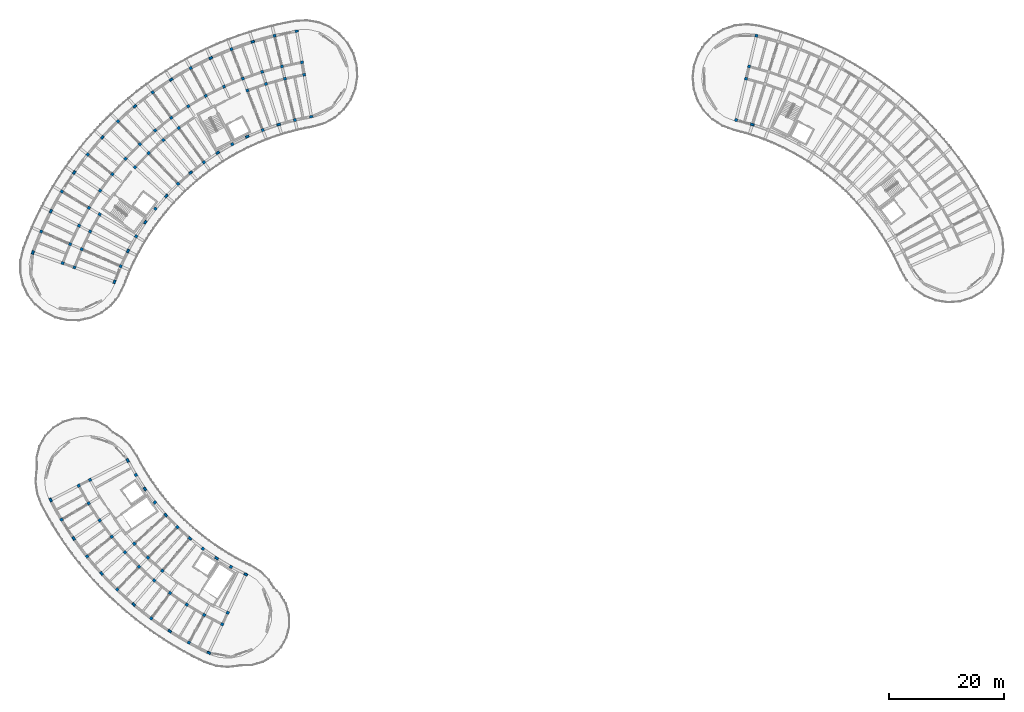
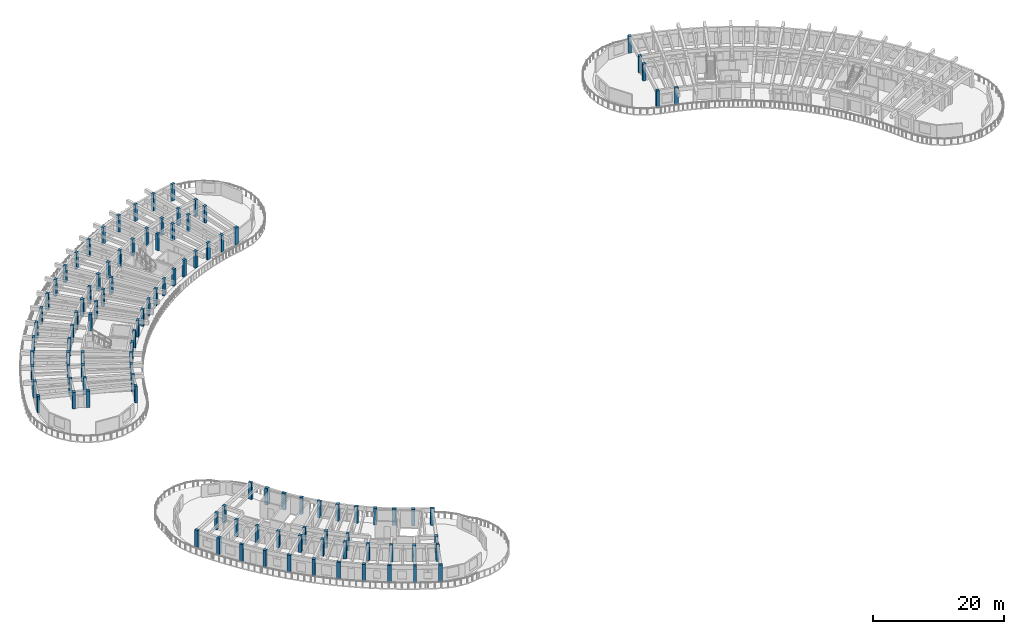
# One storey, part 1 of 41: 106 columns.
"""IFC4 building model written with IfcOpenShell, lengths in metres."""

from ifc_helpers import new_model, si_unit, direction, frame, origin, origin_2d, place, context, subcontext, project, spatial, rectangle, extrude, material, material_profile, profile_set, type_object, element, save


model = new_model("IFC4")

# Units and contexts
model_context = context("Model", 3, precision=1e-05, world=origin(), true_north=direction((0.0, 1.0)))
body_context = subcontext(model_context, "Body", "Model", "MODEL_VIEW")
ifc_project = project(units=[si_unit("LENGTHUNIT", "METRE"), si_unit("AREAUNIT", "SQUARE_METRE"), si_unit("VOLUMEUNIT", "CUBIC_METRE"), si_unit("PLANEANGLEUNIT", "RADIAN"), si_unit("MASSUNIT", "GRAM", prefix="KILO")], contexts=[model_context])

# Site, building, storey
site_placement = place(None, origin())
site = spatial("IfcSite", under=ifc_project, at=site_placement, CompositionType="ELEMENT")
building_placement = place(site_placement, origin())
building = spatial("IfcBuilding", under=site, at=building_placement, Name="Tanwirah Colonnade Gardens", CompositionType="ELEMENT")
storey_placement = place(building_placement, frame((0.0, 0.0, 35.719970703125)))
storey = spatial("IfcBuildingStorey", under=building, at=storey_placement, Name="L10", CompositionType="ELEMENT", Elevation=35.719970703125)

# Columns
ifc_material = material(Name="Precast concrete C40/50", Category="concrete")
ifc_material_profile_1 = material_profile(ifc_material, rectangle(XDim=0.510009765625, YDim=0.510009765625, at=origin_2d()), Name="PC-COL 510x510")
ifc_profile_set_1 = profile_set([ifc_material_profile_1], Name="Precast concrete C40/50")
column_type_1 = type_object("IfcColumnType", Name="C-PC420", PredefinedType="COLUMN", material=ifc_profile_set_1)
for number, where, z_axis, x_axis, name in (
    (1, (18.904541015625, 40.75927734375, 0.0), (0.0, 0.0, 1.0), (-0.889017141486, -0.457873915117, 0.0), "Block C L10 Column 3-R1"),
    (2, (16.94873046875, 39.751953125, 0.0), (0.0, 0.0, 1.0), (-0.889017141486, -0.457873915117, 0.0), "Block C L10 Column 3-R2"),
    (3, (26.89892578125, 41.6064453125, 0.0), (0.0, 0.0, 1.0), (-0.857167300702, -0.51503807491, 0.0), "Block C L10 Column 4-R0"),
    (4, (18.670166015625, 36.662109375, 0.0), (0.0, 0.0, 1.0), (-0.857167300702, -0.51503807491, 0.0), "Block C L10 Column 4-R2"),
    (5, (13.95556640625, 33.82958984375, 0.0), (0.0, 0.0, 1.0), (-0.857167300702, -0.51503807491, 0.0), "Block C L10 Column 4-R3"),
    (6, (20.590087890625, 33.691650390625, 0.0), (0.0, 0.0, 1.0), (-0.821646937942, -0.569996762596, 0.0), "Block C L10 Column 5-R2"),
    (7, (30.213134765625, 36.829345703125, 0.0), (0.0, 0.0, 1.0), (-0.782608156852, -0.622514636638, 0.0), "Block C L10 Column 6-R0"),
    (8, (22.699951171875, 30.85302734375, 0.0), (0.0, 0.0, 1.0), (-0.782608156852, -0.622514636638, 0.0), "Block C L10 Column 6-R2"),
    (9, (18.395751953125, 27.42919921875, 0.0), (0.0, 0.0, 1.0), (-0.782608156852, -0.622514636638, 0.0), "Block C L10 Column 6-R3"),
    (10, (26.61962890625, 29.6376953125, 0.0), (0.0, 0.0, 1.0), (-0.740218127487, -0.672366807435, 0.0), "Block C L10 Column 7-R1"),
    (11, (24.9912109375, 28.15869140625, 0.0), (0.0, 0.0, 1.0), (-0.740218127487, -0.672366807435, 0.0), "Block C L10 Column 7-R2"),
    (12, (34.122314453125, 32.525390625, 0.0), (0.0, 0.0, 1.0), (-0.694658370459, -0.719339800339, 0.0), "Block C L10 Column 8-R0"),
    (13, (28.98193359375, 27.2021484375, 0.0), (0.0, 0.0, 1.0), (-0.694658370459, -0.719339800339, 0.0), "Block C L10 Column 8-R1"),
    (14, (27.45361328125, 25.61962890625, 0.0), (0.0, 0.0, 1.0), (-0.694658370459, -0.719339800339, 0.0), "Block C L10 Column 8-R2"),
    (15, (23.633056640625, 21.663330078125, 0.0), (0.0, 0.0, 1.0), (-0.694658370459, -0.719339800339, 0.0), "Block C L10 Column 8-R3"),
    (16, (31.49853515625, 24.926513671875, 0.0), (0.0, 0.0, 1.0), (-0.646123979643, -0.763232469783, 0.0), "Block C L10 Column 9-R1"),
    (17, (30.076904296875, 23.247314453125, 0.0), (0.0, 0.0, 1.0), (-0.646123979643, -0.763232469783, 0.0), "Block C L10 Column 9-R2"),
    (18, (38.56005859375, 28.7685546875, 0.0), (0.0, 0.0, 1.0), (-0.594822786751, -0.803856860617, 0.0), "Block C L10 Column 10-R0"),
    (19, (32.849853515625, 21.051513671875, 0.0), (0.0, 0.0, 1.0), (-0.594822786751, -0.803856860617, 0.0), "Block C L10 Column 10-R2"),
    (20, (29.578369140625, 16.63037109375, 0.0), (0.0, 0.0, 1.0), (-0.594822786751, -0.803856860617, 0.0), "Block C L10 Column 10-R3"),
    (21, (35.76025390625, 19.041748046875, 0.0), (0.0, 0.0, 1.0), (-0.540974471368, -0.841039012964, 0.0), "Block C L10 Column 11-R2"),
    (22, (43.4501953125, 25.623046875, 0.0), (0.0, 0.0, 1.0), (-0.484809620246, -0.874619707139, 0.0), "Block C L10 Column 12-R0"),
    (23, (38.796142578125, 17.226806640625, 0.0), (0.0, 0.0, 1.0), (-0.484809620246, -0.874619707139, 0.0), "Block C L10 Column 12-R2"),
    (24, (36.129638671875, 12.41650390625, 0.0), (0.0, 0.0, 1.0), (-0.484809620246, -0.874619707139, 0.0), "Block C L10 Column 12-R3"),
    (25, (42.88232421875, 17.60400390625, 0.0), (0.0, 0.0, 1.0), (-0.426568739901, -0.904455145454, 0.0), "Block C L10 Column 13-R1"),
    (26, (41.94384765625, 15.6142578125, 0.0), (0.0, 0.0, 1.0), (-0.426568739901, -0.904455145454, 0.0), "Block C L10 Column 13-R2"),
):
    element("IfcColumn", number, at=place(storey_placement, frame(where, z_axis=z_axis, x_axis=x_axis)), inside=storey, type_object=column_type_1, Name=name, PredefinedType="COLUMN", context=body_context, shape_type="SweptSolid", body=[
        extrude(rectangle(XDim=0.510009765625, YDim=0.510009765625, at=origin_2d()), origin(), (0.0, 0.0, 1.0), 3.125),
    ])
ifc_material_profile_2 = material_profile(ifc_material, rectangle(XDim=0.5, YDim=0.5, at=origin_2d()), Name="PC-COL 500x500")
ifc_profile_set_2 = profile_set([ifc_material_profile_2], Name="Precast concrete C40/50")
column_type_2 = type_object("IfcColumnType", Name="C-PC500", PredefinedType="COLUMN", material=ifc_profile_set_2)
for number, where, z_axis, x_axis, name in (
    (27, (56.1943359375, 111.296875, 0.0), (0.0, 0.0, 1.0), (-0.169827298811, 0.985473839622, 0.0), "Block A L10 Column 1-R1"),
    (28, (55.82080078125, 113.46484375, 0.0), (0.0, 0.0, 1.0), (-0.169827298811, 0.985473839622, 0.0), "Block A L10 Column 1-R2"),
    (29, (54.58154296875, 103.411865234375, 0.0), (0.0, 0.0, 1.0), (-0.23438809799, 0.972143106503, 0.0), "Block A L10 Column 2-R0"),
    (30, (52.846923828125, 110.605712890625, 0.0), (0.0, 0.0, 1.0), (-0.23438809799, 0.972143106503, 0.0), "Block A L10 Column 2-R1"),
    (31, (52.331298828125, 112.744384765625, 0.0), (0.0, 0.0, 1.0), (-0.23438809799, 0.972143106503, 0.0), "Block A L10 Column 2-R2"),
    (32, (51.042236328125, 118.091064453125, 0.0), (0.0, 0.0, 1.0), (-0.23438809799, 0.972143106503, 0.0), "Block A L10 Column 2-R3"),
    (33, (49.55224609375, 109.6953125, 0.0), (0.0, 0.0, 1.0), (-0.297930292146, 0.954587628781, 0.0), "Block A L10 Column 3-R1"),
    (34, (48.89697265625, 111.79541015625, 0.0), (0.0, 0.0, 1.0), (-0.297930292146, 0.954587628781, 0.0), "Block A L10 Column 3-R2"),
    (35, (48.989990234375, 101.666748046875, 0.0), (0.0, 0.0, 1.0), (-0.360177739278, 0.932883699144, 0.0), "Block A L10 Column 4-R0"),
    (36, (46.32470703125, 108.570068359375, 0.0), (0.0, 0.0, 1.0), (-0.360177739278, 0.932883699144, 0.0), "Block A L10 Column 4-R1"),
    (37, (45.532470703125, 110.622314453125, 0.0), (0.0, 0.0, 1.0), (-0.360177739278, 0.932883699144, 0.0), "Block A L10 Column 4-R2"),
    (38, (43.551513671875, 115.753173828125, 0.0), (0.0, 0.0, 1.0), (-0.360177739278, 0.932883699144, 0.0), "Block A L10 Column 4-R3"),
    (39, (42.25244140625, 109.230224609375, 0.0), (0.0, 0.0, 1.0), (-0.420859924104, 0.907125638643, 0.0), "Block A L10 Column 5-R2"),
    (40, (43.6767578125, 99.20166015625, 0.0), (0.0, 0.0, 1.0), (-0.479713133669, 0.877425386791, 0.0), "Block A L10 Column 6-R0"),
    (41, (39.071533203125, 107.624755859375, 0.0), (0.0, 0.0, 1.0), (-0.479713133669, 0.877425386791, 0.0), "Block A L10 Column 6-R2"),
    (42, (36.43310546875, 112.45068359375, 0.0), (0.0, 0.0, 1.0), (-0.479713133669, 0.877425386791, 0.0), "Block A L10 Column 6-R3"),
    (43, (36.003173828125, 105.8134765625, 0.0), (0.0, 0.0, 1.0), (-0.536481603385, 0.843912015099, 0.0), "Block A L10 Column 7-R2"),
    (44, (38.733642578125, 96.05908203125, 0.0), (0.0, 0.0, 1.0), (-0.590918628541, 0.806731166153, 0.0), "Block A L10 Column 8-R0"),
    (45, (34.36083984375, 102.029052734375, 0.0), (0.0, 0.0, 1.0), (-0.590918628541, 0.806731166153, 0.0), "Block A L10 Column 8-R1"),
    (46, (33.060791015625, 103.8037109375, 0.0), (0.0, 0.0, 1.0), (-0.590918628541, 0.806731166153, 0.0), "Block A L10 Column 8-R2"),
    (47, (29.810791015625, 108.24072265625, 0.0), (0.0, 0.0, 1.0), (-0.590918628541, 0.806731166153, 0.0), "Block A L10 Column 8-R3"),
    (48, (31.67138671875, 99.91943359375, 0.0), (0.0, 0.0, 1.0), (-0.642787636427, 0.766044420681, 0.0), "Block A L10 Column 9-R1"),
    (49, (30.25732421875, 101.604736328125, 0.0), (0.0, 0.0, 1.0), (-0.642787636427, 0.766044420681, 0.0), "Block A L10 Column 9-R2"),
    (50, (34.24658203125, 92.294189453125, 0.0), (0.0, 0.0, 1.0), (-0.691863214436, 0.722028595355, 0.0), "Block A L10 Column 10-R0"),
    (51, (29.126953125, 97.63720703125, 0.0), (0.0, 0.0, 1.0), (-0.691863214436, 0.722028595355, 0.0), "Block A L10 Column 10-R1"),
    (52, (27.604736328125, 99.2255859375, 0.0), (0.0, 0.0, 1.0), (-0.691863214436, 0.722028595355, 0.0), "Block A L10 Column 10-R2"),
    (53, (23.799560546875, 103.19677734375, 0.0), (0.0, 0.0, 1.0), (-0.691863214436, 0.722028595355, 0.0), "Block A L10 Column 10-R3"),
    (54, (26.73828125, 95.1923828125, 0.0), (0.0, 0.0, 1.0), (-0.737932089665, 0.674874974378, 0.0), "Block A L10 Column 11-R1"),
    (55, (25.11474609375, 96.677001953125, 0.0), (0.0, 0.0, 1.0), (-0.737932089665, 0.674874974378, 0.0), "Block A L10 Column 11-R2"),
    (56, (30.293701171875, 87.971923828125, 0.0), (0.0, 0.0, 1.0), (-0.780794055756, 0.624788478204, 0.0), "Block A L10 Column 12-R0"),
    (57, (22.798095703125, 93.9697265625, 0.0), (0.0, 0.0, 1.0), (-0.780794055756, 0.624788478204, 0.0), "Block A L10 Column 12-R2"),
    (58, (18.503662109375, 97.40625, 0.0), (0.0, 0.0, 1.0), (-0.780794055756, 0.624788478204, 0.0), "Block A L10 Column 12-R3"),
    (59, (20.664794921875, 91.115966796875, 0.0), (0.0, 0.0, 1.0), (-0.82026284295, 0.57198677299, 0.0), "Block A L10 Column 13-R2"),
    (60, (26.943359375, 83.167236328125, 0.0), (0.0, 0.0, 1.0), (-0.856166927587, 0.516699324663, 0.0), "Block A L10 Column 14-R0"),
    (61, (20.607666015625, 86.990966796875, 0.0), (0.0, 0.0, 1.0), (-0.856166927587, 0.516699324663, 0.0), "Block A L10 Column 14-R1"),
    (62, (18.72412109375, 88.127685546875, 0.0), (0.0, 0.0, 1.0), (-0.856166927587, 0.516699324663, 0.0), "Block A L10 Column 14-R2"),
    (63, (14.015380859375, 90.969482421875, 0.0), (0.0, 0.0, 1.0), (-0.856166927587, 0.516699324663, 0.0), "Block A L10 Column 14-R3"),
    (64, (18.93896484375, 84.0078125, 0.0), (0.0, 0.0, 1.0), (-0.888350277506, 0.459166401705, 0.0), "Block A L10 Column 15-R1"),
    (65, (16.984619140625, 85.017822265625, 0.0), (0.0, 0.0, 1.0), (-0.888350277506, 0.459166401705, 0.0), "Block A L10 Column 15-R2"),
    (66, (24.25390625, 77.9638671875, 0.0), (0.0, 0.0, 1.0), (-0.916673030138, 0.399638030994, 0.0), "Block A L10 Column 16-R0"),
    (67, (17.470458984375, 80.921142578125, 0.0), (0.0, 0.0, 1.0), (-0.916673030138, 0.399638030994, 0.0), "Block A L10 Column 16-R1"),
    (68, (15.453857421875, 81.800537109375, 0.0), (0.0, 0.0, 1.0), (-0.916673030138, 0.399638030994, 0.0), "Block A L10 Column 16-R2"),
    (69, (10.412109375, 83.99853515625, 0.0), (0.0, 0.0, 1.0), (-0.916673030138, 0.399638030994, 0.0), "Block A L10 Column 16-R3"),
    (70, (16.20849609375, 77.74462890625, 0.0), (0.0, 0.0, 1.0), (-0.941012100316, 0.338372911236, 0.0), "Block A L10 Column 17-R1"),
    (71, (14.13818359375, 78.489013671875, 0.0), (0.0, 0.0, 1.0), (-0.941012100316, 0.338372911236, 0.0), "Block A L10 Column 17-R2"),
    (72, (131.41845703125, 103.411865234375, 0.0), (0.0, 0.0, 1.0), (0.234388030122, 0.972143122866, 0.0), "Block B L10 Column 16-R0"),
    (73, (133.153076171875, 110.605712890625, 0.0), (0.0, 0.0, 1.0), (0.234388030122, 0.972143122866, 0.0), "Block B L10 Column 16-R1"),
    (74, (133.668701171875, 112.744384765625, 0.0), (0.0, 0.0, 1.0), (0.234388030122, 0.972143122866, 0.0), "Block B L10 Column 16-R2"),
    (75, (134.957763671875, 118.091064453125, 0.0), (0.0, 0.0, 1.0), (0.234388030122, 0.972143122866, 0.0), "Block B L10 Column 16-R3"),
):
    element("IfcColumn", number, at=place(storey_placement, frame(where, z_axis=z_axis, x_axis=x_axis)), inside=storey, type_object=column_type_2, Name=name, PredefinedType="COLUMN", context=body_context, shape_type="SweptSolid", body=[
        extrude(rectangle(XDim=0.5, YDim=0.5, at=origin_2d()), origin(), (0.0, 0.0, 1.0), 3.114990234375),
    ])
ifc_material_profile_3 = material_profile(ifc_material, rectangle(XDim=0.389892578125, YDim=0.6298828125, at=origin_2d()), Name="PC-PIL 390x630")
ifc_profile_set_3 = profile_set([ifc_material_profile_3], Name="Precast concrete C40/50")
column_type_3 = type_object("IfcColumnType", Name="PIL-360", PredefinedType="PILASTER", material=ifc_profile_set_3)
for number, where, z_axis, x_axis, name in (
    (76, (57.451171875, 104.00439453125, 0.0), (0.0, 0.0, 1.0), (-0.169827298811, 0.985473839622, 0.0), "Block A L10 Column 1-R0"),
    (77, (54.88671875, 118.885009765625, 0.0), (0.0, 0.0, 1.0), (-0.169827298811, 0.985473839622, 0.0), "Block A L10 Column 1-R3"),
    (78, (51.757080078125, 102.63134765625, 0.0), (0.0, 0.0, 1.0), (-0.297930292146, 0.954587628781, 0.0), "Block A L10 Column 3-R0"),
    (79, (47.25830078125, 117.045654296875, 0.0), (0.0, 0.0, 1.0), (-0.297930292146, 0.954587628781, 0.0), "Block A L10 Column 3-R3"),
    (80, (46.292724609375, 100.521728515625, 0.0), (0.0, 0.0, 1.0), (-0.420859924104, 0.907125638643, 0.0), "Block A L10 Column 5-R0"),
    (81, (39.937744140625, 114.21923828125, 0.0), (0.0, 0.0, 1.0), (-0.420859924104, 0.907125638643, 0.0), "Block A L10 Column 5-R3"),
    (82, (41.1533203125, 97.7119140625, 0.0), (0.0, 0.0, 1.0), (-0.536481603385, 0.843912015099, 0.0), "Block A L10 Column 7-R0"),
    (83, (33.052490234375, 110.455078125, 0.0), (0.0, 0.0, 1.0), (-0.536481603385, 0.843912015099, 0.0), "Block A L10 Column 7-R3"),
    (84, (36.427978515625, 94.250732421875, 0.0), (0.0, 0.0, 1.0), (-0.642787636427, 0.766044420681, 0.0), "Block A L10 Column 9-R0"),
    (85, (26.721923828125, 105.81787109375, 0.0), (0.0, 0.0, 1.0), (-0.642787636427, 0.766044420681, 0.0), "Block A L10 Column 9-R3"),
    (86, (32.198974609375, 90.1982421875, 0.0), (0.0, 0.0, 1.0), (-0.737932089665, 0.674874974378, 0.0), "Block A L10 Column 11-R0"),
    (87, (21.05615234375, 100.388916015625, 0.0), (0.0, 0.0, 1.0), (-0.737932089665, 0.674874974378, 0.0), "Block A L10 Column 11-R3"),
    (88, (28.539306640625, 85.624755859375, 0.0), (0.0, 0.0, 1.0), (-0.82026284295, 0.57198677299, 0.0), "Block A L10 Column 13-R0"),
    (89, (16.1533203125, 94.26171875, 0.0), (0.0, 0.0, 1.0), (-0.82026284295, 0.57198677299, 0.0), "Block A L10 Column 13-R3"),
    (90, (25.512939453125, 80.60986328125, 0.0), (0.0, 0.0, 1.0), (-0.888350277506, 0.459166401705, 0.0), "Block A L10 Column 15-R0"),
    (91, (12.0986328125, 87.54345703125, 0.0), (0.0, 0.0, 1.0), (-0.888350277506, 0.459166401705, 0.0), "Block A L10 Column 15-R3"),
    (92, (23.172119140625, 75.24072265625, 0.0), (0.0, 0.0, 1.0), (-0.941012100316, 0.338372911236, 0.0), "Block A L10 Column 17-R0"),
    (93, (8.962646484375, 80.35009765625, 0.0), (0.0, 0.0, 1.0), (-0.941012100316, 0.338372911236, 0.0), "Block A L10 Column 17-R3"),
    (94, (134.242919921875, 102.63134765625, 0.0), (0.0, 0.0, 1.0), (0.297930225503, 0.954587649581, 0.0), "Block B L10 Column 15-R0"),
):
    element("IfcColumn", number, at=place(storey_placement, frame(where, z_axis=z_axis, x_axis=x_axis)), inside=storey, type_object=column_type_3, Name=name, PredefinedType="PILASTER", context=body_context, shape_type="SweptSolid", body=[
        extrude(rectangle(XDim=0.389892578125, YDim=0.6298828125, at=origin_2d()), origin(), (0.0, 0.0, 1.0), 3.114990234375),
    ])
for number, where, z_axis, x_axis, name in (
    (95, (25.483154296875, 44.1474609375, 0.0), (0.0, 0.0, 1.0), (-0.889017141486, -0.457873915117, 0.0), "Block C L10 Column 3-R0"),
    (96, (12.05908203125, 37.233642578125, 0.0), (0.0, 0.0, 1.0), (-0.889017141486, -0.457873915117, 0.0), "Block C L10 Column 3-R3"),
    (97, (28.477783203125, 39.16357421875, 0.0), (0.0, 0.0, 1.0), (-0.821646937942, -0.569996762596, 0.0), "Block C L10 Column 5-R0"),
    (98, (16.071044921875, 30.556640625, 0.0), (0.0, 0.0, 1.0), (-0.821646937942, -0.569996762596, 0.0), "Block C L10 Column 5-R3"),
    (99, (32.097412109375, 34.61328125, 0.0), (0.0, 0.0, 1.0), (-0.740218127487, -0.672366807435, 0.0), "Block C L10 Column 7-R0"),
    (100, (20.919921875, 24.46044921875, 0.0), (0.0, 0.0, 1.0), (-0.740218127487, -0.672366807435, 0.0), "Block C L10 Column 7-R3"),
    (101, (36.27978515625, 30.57421875, 0.0), (0.0, 0.0, 1.0), (-0.646123979643, -0.763232469783, 0.0), "Block C L10 Column 9-R0"),
    (102, (26.5234375, 19.049560546875, 0.0), (0.0, 0.0, 1.0), (-0.646123979643, -0.763232469783, 0.0), "Block C L10 Column 9-R3"),
    (103, (40.95361328125, 27.11572265625, 0.0), (0.0, 0.0, 1.0), (-0.540974471368, -0.841039012964, 0.0), "Block C L10 Column 11-R0"),
    (104, (32.784912109375, 14.416015625, 0.0), (0.0, 0.0, 1.0), (-0.540974471368, -0.841039012964, 0.0), "Block C L10 Column 11-R3"),
    (105, (46.0390625, 24.296875, 0.0), (0.0, 0.0, 1.0), (-0.426568739901, -0.904455145454, 0.0), "Block C L10 Column 13-R0"),
    (106, (39.597900390625, 10.6396484375, 0.0), (0.0, 0.0, 1.0), (-0.426568739901, -0.904455145454, 0.0), "Block C L10 Column 13-R3"),
):
    element("IfcColumn", number, at=place(storey_placement, frame(where, z_axis=z_axis, x_axis=x_axis)), inside=storey, type_object=column_type_3, Name=name, PredefinedType="PILASTER", context=body_context, shape_type="SweptSolid", body=[
        extrude(rectangle(XDim=0.389892578125, YDim=0.6298828125, at=origin_2d()), origin(), (0.0, 0.0, 1.0), 3.125),
    ])

save(model, "model.ifc")
